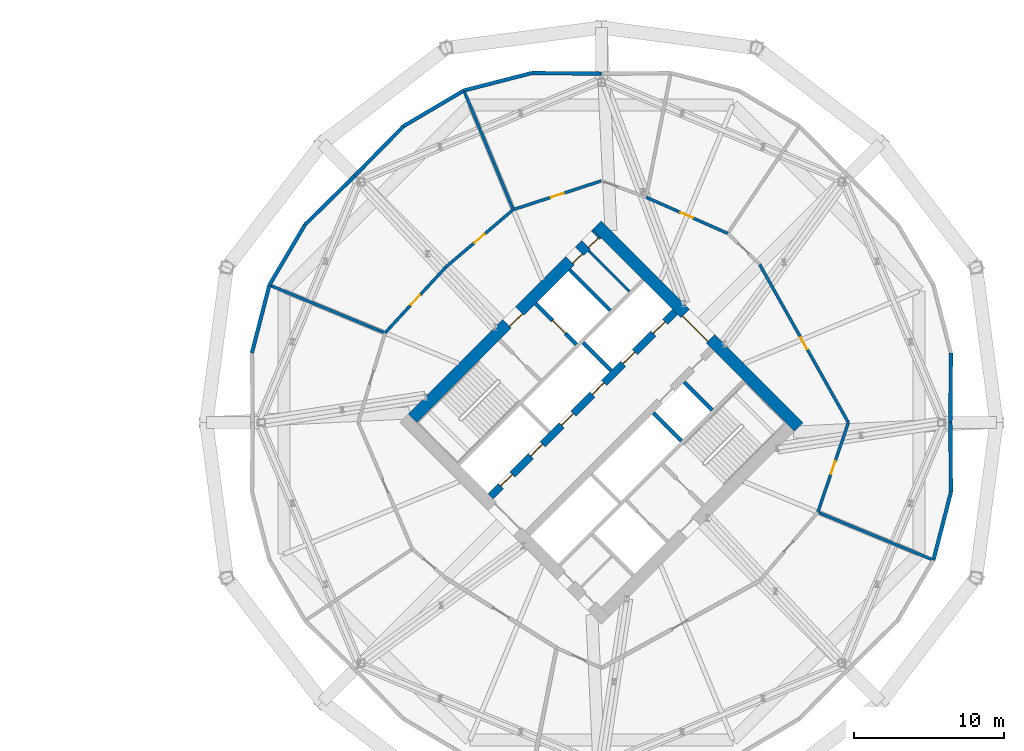
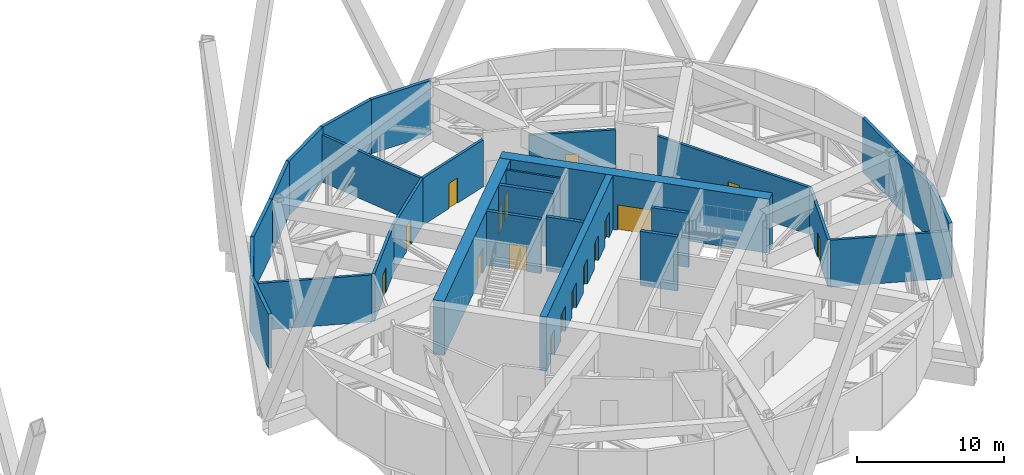
# One storey, part 18 of 21: 28 walls, 17 doors, 17 openings.
"""IFC4 building model written with IfcOpenShell, lengths in metres."""

from ifc_helpers import new_model, si_unit, direction, frame, frame_2d, origin, place, context, subcontext, project, spatial, rectangle, extrude, material, layer, layer_set, type_object, element, fill, save


model = new_model("IFC4")

# Units and contexts
model_context = context("Model", 3, precision=1e-05, world=origin(), true_north=direction((0.0, 1.0)))
body_context = subcontext(model_context, "Body", "Model", "MODEL_VIEW")
ifc_project = project(units=[si_unit("LENGTHUNIT", "METRE"), si_unit("AREAUNIT", "SQUARE_METRE"), si_unit("VOLUMEUNIT", "CUBIC_METRE"), si_unit("PLANEANGLEUNIT", "RADIAN"), si_unit("MASSUNIT", "GRAM", prefix="KILO")], contexts=[model_context])

# Site, building, storey
site_placement = place(None, origin())
site = spatial("IfcSite", under=ifc_project, at=site_placement, CompositionType="ELEMENT")
building_placement = place(site_placement, origin())
building = spatial("IfcBuilding", under=site, at=building_placement, Name="Ogive Gate Towers", CompositionType="ELEMENT")
storey_placement = place(building_placement, frame((0.0, 0.0, 71.39990234375)))
storey = spatial("IfcBuildingStorey", under=building, at=storey_placement, Name="L16", CompositionType="ELEMENT", Elevation=71.39990234375)

# Walls
ifc_material_1 = material(Name="Fire-rated block compartment wall")
ifc_layer_1 = layer(ifc_material_1, 0.199951171875)
ifc_layer_set_1 = layer_set([ifc_layer_1], Name="Compartment wall 200")
wall_type_1 = type_object("IfcWallType", Name="Compartment wall 200", PredefinedType="PARTITIONING", material=ifc_layer_set_1)
wall_1_placement = place(storey_placement, frame((26.8232421875, 22.154541015625, 0.0), z_axis=(0.0, 0.0, 1.0), x_axis=(0.382683368514, -0.923879558959, 0.0)))
element("IfcWall", 1, at=wall_1_placement, inside=storey, type_object=wall_type_1, Name="Partition T2-L16-003", PredefinedType="PARTITIONING", context=body_context, shape_type="SweptSolid", body=[
    extrude(rectangle(XDim=8.518798828125, YDim=0.199951171875, at=frame_2d((4.25927734375, 0.0))), origin(), (0.0, 0.0, 1.0), 3.900146484375),
])
for number, where, z_axis, x_axis, name in (
    (2, (13.845458984375, 9.1767578125, 0.0), (0.0, 0.0, 1.0), (0.923875052212, -0.382694248586, 0.0), "Partition T2-L16-004"),
    (3, (58.154541015625, -9.1767578125, 0.0), (0.0, 0.0, 1.0), (-0.923875052212, 0.382694248586, 0.0), "Partition T2-L16-007"),
):
    element("IfcWall", number, at=place(storey_placement, frame(where, z_axis=z_axis, x_axis=x_axis)), inside=storey, type_object=wall_type_1, Name=name, PredefinedType="PARTITIONING", context=body_context, shape_type="SweptSolid", body=[
        extrude(rectangle(XDim=8.26904296875, YDim=0.199951171875, at=frame_2d((4.134521484375, 0.0))), origin(), (0.0, 0.0, 1.0), 3.900146484375),
    ])

# Wall, opening, door
wall_2_placement = place(storey_placement, frame((44.4267578125, 12.602783203125, 0.0), z_axis=(0.0, 0.0, 1.0), x_axis=(-0.914139178346, 0.405400496563, 0.0)))
wall_2 = element("IfcWall", 4, at=wall_2_placement, inside=storey, type_object=wall_type_1, Name="Partition T2-L16-008", PredefinedType="PARTITIONING", context=body_context, shape_type="SweptSolid", body=[
    extrude(rectangle(XDim=5.9560546875, YDim=0.199951171875, at=frame_2d((2.97802734375, 0.0))), origin(), (0.0, 0.0, 1.0), 3.900146484375),
])
opening_1_placement = place(wall_2_placement, frame((2.550048828125, 0.0, 0.0)))
opening_1 = element("IfcOpeningElement", 5, at=opening_1_placement, cuts=wall_2, Name="Opening T2-L16-D01", PredefinedType="OPENING", context=body_context, shape_type="SweptSolid", body=[
    extrude(rectangle(XDim=0.89990234375, YDim=2.10009765625, at=frame_2d((0.449951171875, 1.050048828125))), frame((0.0, 0.10986328125, 0.0), z_axis=(0.0, -1.0, 0.0), x_axis=(1.0, 0.0, 0.0)), (0.0, 0.0, 1.0), 0.219970703125),
])
ifc_material_2 = material(Name="Steel fire door", Category="steel")
door_type_1 = type_object("IfcDoorType", Name="Fire door 900 FD30S", OperationType="NOTDEFINED", PredefinedType="DOOR", material=ifc_material_2)
door_1_placement = place(opening_1_placement, origin())
door_1 = element("IfcDoor", 6, at=door_1_placement, inside=storey, type_object=door_type_1, Name="Door T2-L16-D01", OperationType="SINGLE_SWING_RIGHT", OverallHeight=2.10009765625, OverallWidth=0.89990234375, PredefinedType="DOOR", context=body_context, shape_type="SweptSolid", body=[
    extrude(rectangle(XDim=0.89990234375, YDim=2.10009765625, at=frame_2d((0.449951171875, 1.050048828125))), frame((0.0, 0.02490234375, 0.0), z_axis=(0.0, -1.0, 0.0), x_axis=(1.0, 0.0, 0.0)), (0.0, 0.0, 1.0), 0.050048828125),
])
fill(opening_1, door_1)

wall_3_placement = place(storey_placement, frame((36.0, 16.110107421875, 0.0), z_axis=(0.0, 0.0, 1.0), x_axis=(-0.950654422304, -0.310251783805, 0.0)))
wall_3 = element("IfcWall", 7, at=wall_3_placement, inside=storey, type_object=wall_type_1, Name="Partition T2-L16-010", PredefinedType="PARTITIONING", context=body_context, shape_type="SweptSolid", body=[
    extrude(rectangle(XDim=6.18359375, YDim=0.199951171875, at=frame_2d((3.091796875, 0.0))), origin(), (0.0, 0.0, 1.0), 3.900146484375),
])
opening_2_placement = place(wall_3_placement, frame((2.64990234375, 0.0, 0.0)))
opening_2 = element("IfcOpeningElement", 8, at=opening_2_placement, cuts=wall_3, Name="Opening T2-L16-D03", PredefinedType="OPENING", context=body_context, shape_type="SweptSolid", body=[
    extrude(rectangle(XDim=0.89990234375, YDim=2.10009765625, at=frame_2d((0.449951171875, 1.050048828125))), frame((0.0, 0.10986328125, 0.0), z_axis=(0.0, -1.0, 0.0), x_axis=(1.0, 0.0, 0.0)), (0.0, 0.0, 1.0), 0.219970703125),
])
door_2_placement = place(opening_2_placement, origin())
door_2 = element("IfcDoor", 9, at=door_2_placement, inside=storey, type_object=door_type_1, Name="Door T2-L16-D03", OperationType="SINGLE_SWING_LEFT", OverallHeight=2.10009765625, OverallWidth=0.89990234375, PredefinedType="DOOR", context=body_context, shape_type="SweptSolid", body=[
    extrude(rectangle(XDim=0.89990234375, YDim=2.10009765625, at=frame_2d((0.449951171875, 1.050048828125))), frame((0.0, 0.02490234375, 0.0), z_axis=(0.0, -1.0, 0.0), x_axis=(1.0, 0.0, 0.0)), (0.0, 0.0, 1.0), 0.050048828125),
])
fill(opening_2, door_2)

wall_4_placement = place(storey_placement, frame((30.12158203125, 14.191650390625, 0.0), z_axis=(0.0, 0.0, 1.0), x_axis=(-0.761033519878, -0.64871255701, 0.0)))
wall_4 = element("IfcWall", 10, at=wall_4_placement, inside=storey, type_object=wall_type_1, Name="Partition T2-L16-011", PredefinedType="PARTITIONING", context=body_context, shape_type="SweptSolid", body=[
    extrude(rectangle(XDim=5.89697265625, YDim=0.199951171875, at=frame_2d((2.948486328125, 0.0))), origin(), (0.0, 0.0, 1.0), 3.900146484375),
])
opening_3_placement = place(wall_4_placement, frame((2.5, 0.0, 0.0)))
opening_3 = element("IfcOpeningElement", 11, at=opening_3_placement, cuts=wall_4, Name="Opening T2-L16-D04", PredefinedType="OPENING", context=body_context, shape_type="SweptSolid", body=[
    extrude(rectangle(XDim=0.89990234375, YDim=2.10009765625, at=frame_2d((0.449951171875, 1.050048828125))), frame((0.0, 0.10986328125, 0.0), z_axis=(0.0, -1.0, 0.0), x_axis=(1.0, 0.0, 0.0)), (0.0, 0.0, 1.0), 0.219970703125),
])
door_3_placement = place(opening_3_placement, origin())
door_3 = element("IfcDoor", 12, at=door_3_placement, inside=storey, type_object=door_type_1, Name="Door T2-L16-D04", OperationType="SINGLE_SWING_RIGHT", OverallHeight=2.10009765625, OverallWidth=0.89990234375, PredefinedType="DOOR", context=body_context, shape_type="SweptSolid", body=[
    extrude(rectangle(XDim=0.89990234375, YDim=2.10009765625, at=frame_2d((0.449951171875, 1.050048828125))), frame((0.0, 0.02490234375, 0.0), z_axis=(0.0, -1.0, 0.0), x_axis=(1.0, 0.0, 0.0)), (0.0, 0.0, 1.0), 0.050048828125),
])
fill(opening_3, door_3)

wall_5_placement = place(storey_placement, frame((25.6337890625, 10.3662109375, 0.0), z_axis=(0.0, 0.0, 1.0), x_axis=(-0.67847512187, -0.734623379021, 0.0)))
wall_5 = element("IfcWall", 13, at=wall_5_placement, inside=storey, type_object=wall_type_1, Name="Partition T2-L16-012", PredefinedType="PARTITIONING", context=body_context, shape_type="SweptSolid", body=[
    extrude(rectangle(XDim=5.978759765625, YDim=0.199951171875, at=frame_2d((2.9892578125, 0.0))), origin(), (0.0, 0.0, 1.0), 3.900146484375),
])
opening_4_placement = place(wall_5_placement, frame((2.550048828125, 0.0, 0.0)))
opening_4 = element("IfcOpeningElement", 14, at=opening_4_placement, cuts=wall_5, Name="Opening T2-L16-D05", PredefinedType="OPENING", context=body_context, shape_type="SweptSolid", body=[
    extrude(rectangle(XDim=0.89990234375, YDim=2.10009765625, at=frame_2d((0.449951171875, 1.050048828125))), frame((0.0, 0.10986328125, 0.0), z_axis=(0.0, -1.0, 0.0), x_axis=(1.0, 0.0, 0.0)), (0.0, 0.0, 1.0), 0.219970703125),
])
door_4_placement = place(opening_4_placement, origin())
door_4 = element("IfcDoor", 15, at=door_4_placement, inside=storey, type_object=door_type_1, Name="Door T2-L16-D05", OperationType="SINGLE_SWING_RIGHT", OverallHeight=2.10009765625, OverallWidth=0.89990234375, PredefinedType="DOOR", context=body_context, shape_type="SweptSolid", body=[
    extrude(rectangle(XDim=0.89990234375, YDim=2.10009765625, at=frame_2d((0.449951171875, 1.050048828125))), frame((0.0, 0.02490234375, 0.0), z_axis=(0.0, -1.0, 0.0), x_axis=(1.0, 0.0, 0.0)), (0.0, 0.0, 1.0), 0.050048828125),
])
fill(opening_4, door_4)

wall_6_placement = place(storey_placement, frame((50.422607421875, -5.97412109375, 0.0), z_axis=(0.0, 0.0, 1.0), x_axis=(0.322776306241, 0.946475280253, 0.0)))
wall_6 = element("IfcWall", 16, at=wall_6_placement, inside=storey, type_object=wall_type_1, Name="Partition T2-L16-020", PredefinedType="PARTITIONING", context=body_context, shape_type="SweptSolid", body=[
    extrude(rectangle(XDim=6.31201171875, YDim=0.199951171875, at=frame_2d((3.156005859375, 0.0))), origin(), (0.0, 0.0, 1.0), 3.900146484375),
])
opening_5_placement = place(wall_6_placement, frame((2.699951171875, 0.0, 0.0)))
opening_5 = element("IfcOpeningElement", 17, at=opening_5_placement, cuts=wall_6, Name="Opening T2-L16-D13", PredefinedType="OPENING", context=body_context, shape_type="SweptSolid", body=[
    extrude(rectangle(XDim=0.89990234375, YDim=2.10009765625, at=frame_2d((0.449951171875, 1.050048828125))), frame((0.0, 0.10986328125, 0.0), z_axis=(0.0, -1.0, 0.0), x_axis=(1.0, 0.0, 0.0)), (0.0, 0.0, 1.0), 0.219970703125),
])
door_5_placement = place(opening_5_placement, origin())
door_5 = element("IfcDoor", 18, at=door_5_placement, inside=storey, type_object=door_type_1, Name="Door T2-L16-D13", OperationType="SINGLE_SWING_LEFT", OverallHeight=2.10009765625, OverallWidth=0.89990234375, PredefinedType="DOOR", context=body_context, shape_type="SweptSolid", body=[
    extrude(rectangle(XDim=0.89990234375, YDim=2.10009765625, at=frame_2d((0.449951171875, 1.050048828125))), frame((0.0, 0.02490234375, 0.0), z_axis=(0.0, -1.0, 0.0), x_axis=(1.0, 0.0, 0.0)), (0.0, 0.0, 1.0), 0.050048828125),
])
fill(opening_5, door_5)

wall_7_placement = place(storey_placement, frame((52.4599609375, 0.0, 0.0), z_axis=(0.0, 0.0, 1.0), x_axis=(-0.489417303942, 0.872049713378, 0.0)))
wall_7 = element("IfcWall", 19, at=wall_7_placement, inside=storey, type_object=wall_type_1, Name="Partition T2-L16-021", PredefinedType="PARTITIONING", context=body_context, shape_type="SweptSolid", body=[
    extrude(rectangle(XDim=12.08984375, YDim=0.199951171875, at=frame_2d((6.044921875, 0.0))), origin(), (0.0, 0.0, 1.0), 3.900146484375),
])
opening_6_placement = place(wall_7_placement, frame((5.60009765625, 0.0, 0.0)))
opening_6 = element("IfcOpeningElement", 20, at=opening_6_placement, cuts=wall_7, Name="Opening T2-L16-D14", PredefinedType="OPENING", context=body_context, shape_type="SweptSolid", body=[
    extrude(rectangle(XDim=0.89990234375, YDim=2.10009765625, at=frame_2d((0.449951171875, 1.050048828125))), frame((0.0, 0.10986328125, 0.0), z_axis=(0.0, -1.0, 0.0), x_axis=(1.0, 0.0, 0.0)), (0.0, 0.0, 1.0), 0.219970703125),
])
door_6_placement = place(opening_6_placement, origin())
door_6 = element("IfcDoor", 21, at=door_6_placement, inside=storey, type_object=door_type_1, Name="Door T2-L16-D14", OperationType="SINGLE_SWING_RIGHT", OverallHeight=2.10009765625, OverallWidth=0.89990234375, PredefinedType="DOOR", context=body_context, shape_type="SweptSolid", body=[
    extrude(rectangle(XDim=0.89990234375, YDim=2.10009765625, at=frame_2d((0.449951171875, 1.050048828125))), frame((0.0, 0.02490234375, 0.0), z_axis=(0.0, -1.0, 0.0), x_axis=(1.0, 0.0, 0.0)), (0.0, 0.0, 1.0), 0.050048828125),
])
fill(opening_6, door_6)

# Wall, openings, doors
ifc_material_3 = material(Name="Concrete C60/75", Category="concrete")
ifc_layer_2 = layer(ifc_material_3, 0.800048828125)
ifc_layer_set_2 = layer_set([ifc_layer_2], Name="Core wall 800 mm")
wall_type_2 = type_object("IfcWallType", Name="Core wall 800 mm", PredefinedType="SHEAR", material=ifc_layer_set_2)
wall_8_placement = place(storey_placement, frame((23.41357421875, 0.28271484375, 0.0), z_axis=(0.0, 0.0, 1.0), x_axis=(0.707106781187, 0.707106781187, 0.0)))
wall_8 = element("IfcWall", 22, at=wall_8_placement, inside=storey, type_object=wall_type_2, Name="T2 L16 Core wall 800 mm", PredefinedType="SHEAR", context=body_context, shape_type="SweptSolid", body=[
    extrude(rectangle(XDim=17.400146484375, YDim=0.800048828125, at=frame_2d((8.7001953125, 0.0))), origin(), (0.0, 0.0, 1.0), 4.5),
])
opening_7_placement = place(wall_8_placement, frame((8.89990234375, 0.0, 0.0)))
opening_7 = element("IfcOpeningElement", 23, at=opening_7_placement, cuts=wall_8, Name="Opening KD-T2-L16-15", PredefinedType="OPENING", context=body_context, shape_type="SweptSolid", body=[
    extrude(rectangle(XDim=1.199951171875, YDim=2.10009765625, at=frame_2d((0.60009765625, 1.050048828125))), frame((0.0, 0.41015625, 0.0), z_axis=(0.0, -1.0, 0.0), x_axis=(1.0, 0.0, 0.0)), (0.0, 0.0, 1.0), 0.820068359375),
])
opening_8_placement = place(wall_8_placement, frame((14.85009765625, 0.0, 0.0)))
opening_8 = element("IfcOpeningElement", 24, at=opening_8_placement, cuts=wall_8, Name="Opening KD-T2-L16-17", PredefinedType="OPENING", context=body_context, shape_type="SweptSolid", body=[
    extrude(rectangle(XDim=0.89990234375, YDim=2.10009765625, at=frame_2d((0.449951171875, 1.050048828125))), frame((0.0, 0.41015625, 0.0), z_axis=(0.0, -1.0, 0.0), x_axis=(1.0, 0.0, 0.0)), (0.0, 0.0, 1.0), 0.820068359375),
])
opening_9_placement = place(wall_8_placement, frame((16.35009765625, 0.0, 0.0)))
opening_9 = element("IfcOpeningElement", 25, at=opening_9_placement, cuts=wall_8, Name="Opening KD-T2-L16-18", PredefinedType="OPENING", context=body_context, shape_type="SweptSolid", body=[
    extrude(rectangle(XDim=0.89990234375, YDim=2.10009765625, at=frame_2d((0.449951171875, 1.050048828125))), frame((0.0, 0.41015625, 0.0), z_axis=(0.0, -1.0, 0.0), x_axis=(1.0, 0.0, 0.0)), (0.0, 0.0, 1.0), 0.820068359375),
])
door_type_2 = type_object("IfcDoorType", Name="Core door FD60S 1200 x 2100", OperationType="NOTDEFINED", PredefinedType="DOOR", material=ifc_material_2)
door_7_placement = place(opening_7_placement, origin())
door_7 = element("IfcDoor", 26, at=door_7_placement, inside=storey, type_object=door_type_2, Name="T2 L16 Fire-fighting lobby door", OperationType="SINGLE_SWING_RIGHT", OverallHeight=2.10009765625, OverallWidth=1.199951171875, PredefinedType="DOOR", context=body_context, shape_type="SweptSolid", body=[
    extrude(rectangle(XDim=1.199951171875, YDim=2.10009765625, at=frame_2d((0.60009765625, 1.050048828125))), frame((0.0, -0.22509765625, 0.0), z_axis=(0.0, -1.0, 0.0), x_axis=(1.0, 0.0, 0.0)), (0.0, 0.0, 1.0), 0.050048828125),
])
fill(opening_7, door_7)
door_type_3 = type_object("IfcDoorType", Name="Core door FD60S 900 x 2100", OperationType="NOTDEFINED", PredefinedType="DOOR", material=ifc_material_2)
door_8_placement = place(opening_8_placement, origin())
door_8 = element("IfcDoor", 27, at=door_8_placement, inside=storey, type_object=door_type_3, Name="T2 L16 Core door", OperationType="SINGLE_SWING_RIGHT", OverallHeight=2.10009765625, OverallWidth=0.89990234375, PredefinedType="DOOR", context=body_context, shape_type="SweptSolid", body=[
    extrude(rectangle(XDim=0.89990234375, YDim=2.10009765625, at=frame_2d((0.449951171875, 1.050048828125))), frame((0.0, -0.22509765625, 0.0), z_axis=(0.0, -1.0, 0.0), x_axis=(1.0, 0.0, 0.0)), (0.0, 0.0, 1.0), 0.050048828125),
])
fill(opening_8, door_8)
door_9_placement = place(opening_9_placement, origin())
door_9 = element("IfcDoor", 28, at=door_9_placement, inside=storey, type_object=door_type_3, Name="T2 L16 Core door", OperationType="SINGLE_SWING_LEFT", OverallHeight=2.10009765625, OverallWidth=0.89990234375, PredefinedType="DOOR", context=body_context, shape_type="SweptSolid", body=[
    extrude(rectangle(XDim=0.89990234375, YDim=2.10009765625, at=frame_2d((0.449951171875, 1.050048828125))), frame((0.0, -0.22509765625, 0.0), z_axis=(0.0, -1.0, 0.0), x_axis=(1.0, 0.0, 0.0)), (0.0, 0.0, 1.0), 0.050048828125),
])
fill(opening_9, door_9)

# Wall, opening, door
wall_9_placement = place(storey_placement, frame((49.152099609375, -0.28271484375, 0.0), z_axis=(0.0, 0.0, 1.0), x_axis=(-0.707106781187, 0.707106781187, 0.0)))
wall_9 = element("IfcWall", 29, at=wall_9_placement, inside=storey, type_object=wall_type_2, Name="T2 L16 Core wall 800 mm", PredefinedType="SHEAR", context=body_context, shape_type="SweptSolid", body=[
    extrude(rectangle(XDim=18.999755859375, YDim=0.800048828125, at=frame_2d((9.5, 0.0))), origin(), (0.0, 0.0, 1.0), 4.5),
])
opening_10_placement = place(wall_9_placement, frame((8.300048828125, 0.0, 0.0)))
opening_10 = element("IfcOpeningElement", 30, at=opening_10_placement, cuts=wall_9, Name="Opening KD-T2-L16-02", PredefinedType="OPENING", context=body_context, shape_type="SweptSolid", body=[
    extrude(rectangle(XDim=2.39990234375, YDim=2.10009765625, at=frame_2d((1.199951171875, 1.050048828125))), frame((0.0, 0.41015625, 0.0), z_axis=(0.0, -1.0, 0.0), x_axis=(1.0, 0.0, 0.0)), (0.0, 0.0, 1.0), 0.820068359375),
])
door_type_4 = type_object("IfcDoorType", Name="Core double door FD60S 2400 x 2100", OperationType="DOUBLE_DOOR_SINGLE_SWING", PredefinedType="DOOR", material=ifc_material_2)
door_10_placement = place(opening_10_placement, origin())
door_10 = element("IfcDoor", 31, at=door_10_placement, inside=storey, type_object=door_type_4, Name="T2 L16 Core door double", OperationType="DOUBLE_DOOR_SINGLE_SWING", OverallHeight=2.10009765625, OverallWidth=2.39990234375, PredefinedType="DOOR", context=body_context, shape_type="SweptSolid", body=[
    extrude(rectangle(XDim=2.39990234375, YDim=2.10009765625, at=frame_2d((1.199951171875, 1.050048828125))), frame((0.0, 0.27490234375, 0.0), z_axis=(0.0, -1.0, 0.0), x_axis=(1.0, 0.0, 0.0)), (0.0, 0.0, 1.0), 0.050048828125),
])
fill(opening_10, door_10)

# Walls
ifc_material_4 = material(Name="Pale metal aluminium louvre", Category="aluminium")
ifc_layer_3 = layer(ifc_material_4, 0.25)
ifc_layer_set_3 = layer_set([ifc_layer_3], Name="Plant louvre wall")
wall_type_3 = type_object("IfcWallType", Name="Plant louvre wall", PredefinedType="SOLIDWALL", material=ifc_layer_set_3)
for number, where, z_axis, x_axis, name in (
    (32, (59.2548828125, 0.0, 0.0), (0.0, 0.0, 1.0), (0.00932029026, 0.999956565151, 0.0), "Plant louvre wall"),
    (33, (36.0, 23.2548828125, 0.0), (0.0, 0.0, 1.0), (-0.999956565151, 0.00932029026, 0.0), "Plant louvre wall"),
):
    element("IfcWall", number, at=place(storey_placement, frame(where, z_axis=z_axis, x_axis=x_axis)), inside=storey, type_object=wall_type_3, Name=name, PredefinedType="SOLIDWALL", context=body_context, shape_type="SweptSolid", body=[
        extrude(rectangle(XDim=4.636474609375, YDim=0.25, at=frame_2d((2.318359375, 0.0))), origin(), (0.0, 0.0, 1.0), 4.5),
    ])
wall_10_placement = place(storey_placement, frame((31.36376953125, 23.298095703125, 0.0), z_axis=(0.0, 0.0, 1.0), x_axis=(-0.968405489026, -0.249380850957, 0.0)))
element("IfcWall", 34, at=wall_10_placement, inside=storey, type_object=wall_type_3, Name="Plant louvre wall", PredefinedType="SOLIDWALL", context=body_context, shape_type="SweptSolid", body=[
    extrude(rectangle(XDim=4.678466796875, YDim=0.25, at=frame_2d((2.33935546875, 0.0))), origin(), (0.0, 0.0, 1.0), 4.5),
])
wall_11_placement = place(storey_placement, frame((26.8330078125, 22.13134765625, 0.0), z_axis=(0.0, 0.0, 1.0), x_axis=(-0.861090617776, -0.508451519792, 0.0)))
element("IfcWall", 35, at=wall_11_placement, inside=storey, type_object=wall_type_3, Name="Plant louvre wall", PredefinedType="SOLIDWALL", context=body_context, shape_type="SweptSolid", body=[
    extrude(rectangle(XDim=4.6787109375, YDim=0.25, at=frame_2d((2.33935546875, 0.0))), origin(), (0.0, 0.0, 1.0), 4.5),
])
for number, where, z_axis, x_axis, name in (
    (36, (22.80419921875, 19.75244140625, 0.0), (0.0, 0.0, 1.0), (-0.700547180345, -0.713606087495, 0.0), "Plant louvre wall"),
    (37, (19.55615234375, 16.44384765625, 0.0), (0.0, 0.0, 1.0), (-0.713606087495, -0.700547180345, 0.0), "Plant louvre wall"),
):
    element("IfcWall", number, at=place(storey_placement, frame(where, z_axis=z_axis, x_axis=x_axis)), inside=storey, type_object=wall_type_3, Name=name, PredefinedType="SOLIDWALL", context=body_context, shape_type="SweptSolid", body=[
        extrude(rectangle(XDim=4.636474609375, YDim=0.25, at=frame_2d((2.318359375, 0.0))), origin(), (0.0, 0.0, 1.0), 4.5),
    ])
wall_12_placement = place(storey_placement, frame((16.24755859375, 13.19580078125, 0.0), z_axis=(0.0, 0.0, 1.0), x_axis=(-0.508451519792, -0.861090617776, 0.0)))
element("IfcWall", 38, at=wall_12_placement, inside=storey, type_object=wall_type_3, Name="Plant louvre wall", PredefinedType="SOLIDWALL", context=body_context, shape_type="SweptSolid", body=[
    extrude(rectangle(XDim=4.6787109375, YDim=0.25, at=frame_2d((2.33935546875, 0.0))), origin(), (0.0, 0.0, 1.0), 4.5),
])
for number, where, z_axis, x_axis, name in (
    (39, (13.86865234375, 9.1669921875, 0.0), (0.0, 0.0, 1.0), (-0.249380850957, -0.968405489026, 0.0), "Plant louvre wall"),
    (40, (58.13134765625, -9.1669921875, 0.0), (0.0, 0.0, 1.0), (0.249380850957, 0.968405489026, 0.0), "Plant louvre wall"),
):
    element("IfcWall", number, at=place(storey_placement, frame(where, z_axis=z_axis, x_axis=x_axis)), inside=storey, type_object=wall_type_3, Name=name, PredefinedType="SOLIDWALL", context=body_context, shape_type="SweptSolid", body=[
        extrude(rectangle(XDim=4.678466796875, YDim=0.25, at=frame_2d((2.33935546875, 0.0))), origin(), (0.0, 0.0, 1.0), 4.5),
    ])
wall_13_placement = place(storey_placement, frame((59.298095703125, -4.63623046875, 0.0), z_axis=(0.0, 0.0, 1.0), x_axis=(-0.00932029026, 0.999956565151, 0.0)))
element("IfcWall", 41, at=wall_13_placement, inside=storey, type_object=wall_type_3, Name="Plant louvre wall", PredefinedType="SOLIDWALL", context=body_context, shape_type="SweptSolid", body=[
    extrude(rectangle(XDim=4.636474609375, YDim=0.25, at=frame_2d((2.318359375, 0.0))), origin(), (0.0, 0.0, 1.0), 4.5),
])
ifc_material_5 = material(Name="Gypsum board partition")
ifc_layer_4 = layer(ifc_material_5, 0.14990234375)
ifc_layer_set_4 = layer_set([ifc_layer_4], Name="Room partition 150 mm")
wall_type_4 = type_object("IfcWallType", Name="Room partition 150 mm", PredefinedType="PARTITIONING", material=ifc_layer_set_4)
wall_14_placement = place(storey_placement, frame((37.856201171875, 8.75048828125, 0.0), z_axis=(0.0, 0.0, 1.0), x_axis=(-0.707106781187, 0.707106781187, 0.0)))
element("IfcWall", 42, at=wall_14_placement, inside=storey, type_object=wall_type_4, Name="T2 L16 Room partition 150 mm", PredefinedType="PARTITIONING", context=body_context, shape_type="SweptSolid", body=[
    extrude(rectangle(XDim=3.824951171875, YDim=0.14990234375, at=frame_2d((1.91259765625, 0.0))), origin(), (0.0, 0.0, 1.0), 4.5),
])

# Wall, opening, door
ifc_layer_5 = layer(ifc_material_3, 0.25)
ifc_layer_set_5 = layer_set([ifc_layer_5], Name="Shaft wall 250 mm")
wall_type_5 = type_object("IfcWallType", Name="Shaft wall 250 mm", PredefinedType="SHEAR", material=ifc_layer_set_5)
wall_15_placement = place(storey_placement, frame((34.320556640625, 5.21484375, 0.0), z_axis=(0.0, 0.0, 1.0), x_axis=(-0.707074866995, 0.707138693938, 0.0)))
wall_15 = element("IfcWall", 43, at=wall_15_placement, inside=storey, type_object=wall_type_5, Name="T2 L16 Shaft wall 250 mm", PredefinedType="SHEAR", context=body_context, shape_type="SweptSolid", body=[
    extrude(rectangle(XDim=3.824951171875, YDim=0.25, at=frame_2d((1.91259765625, 0.0))), origin(), (0.0, 0.0, 1.0), 4.5),
])
opening_11_placement = place(wall_15_placement, frame((1.02490234375, 0.0, 0.0)))
opening_11 = element("IfcOpeningElement", 44, at=opening_11_placement, cuts=wall_15, Name="Opening LD-T2-L16-10", PredefinedType="OPENING", context=body_context, shape_type="SweptSolid", body=[
    extrude(rectangle(XDim=1.199951171875, YDim=2.10009765625, at=frame_2d((0.60009765625, 1.050048828125))), frame((0.0, 0.135009765625, 0.0), z_axis=(0.0, -1.0, 0.0), x_axis=(1.0, 0.0, 0.0)), (0.0, 0.0, 1.0), 0.27001953125),
])
ifc_material_6 = material(Name="Stainless steel landing door", Category="steel")
door_type_5 = type_object("IfcDoorType", Name="Landing door 1200 x 2100", OperationType="SLIDING_TO_LEFT", PredefinedType="DOOR", material=ifc_material_6)
door_11_placement = place(opening_11_placement, origin())
door_11 = element("IfcDoor", 45, at=door_11_placement, inside=storey, type_object=door_type_5, Name="T2 L16 Lift landing door FF1", OperationType="SLIDING_TO_LEFT", OverallHeight=2.10009765625, OverallWidth=1.199951171875, PredefinedType="DOOR", context=body_context, shape_type="SweptSolid", body=[
    extrude(rectangle(XDim=1.199951171875, YDim=2.10009765625, at=frame_2d((0.60009765625, 1.050048828125))), frame((0.0, 0.02490234375, 0.0), z_axis=(0.0, -1.0, 0.0), x_axis=(1.0, 0.0, 0.0)), (0.0, 0.0, 1.0), 0.050048828125),
])
fill(opening_11, door_11)

# Walls
for number, where, z_axis, x_axis, name in (
    (46, (41.321044921875, -1.2197265625, 0.0), (0.0, 0.0, 1.0), (-0.707106781187, 0.707106781187, 0.0), "T2 L16 Shaft wall 250 mm"),
    (47, (36.636474609375, 3.46484375, 0.0), (0.0, 0.0, 1.0), (-0.707106781187, 0.707106781187, 0.0), "T2 L16 Shaft wall 250 mm"),
):
    element("IfcWall", number, at=place(storey_placement, frame(where, z_axis=z_axis, x_axis=x_axis)), inside=storey, type_object=wall_type_5, Name=name, PredefinedType="SHEAR", context=body_context, shape_type="SweptSolid", body=[
        extrude(rectangle(XDim=2.625, YDim=0.25, at=frame_2d((1.3125, 0.0))), origin(), (0.0, 0.0, 1.0), 4.5),
    ])
wall_16_placement = place(storey_placement, frame((36.58349609375, 7.477783203125, 0.0), z_axis=(0.0, 0.0, 1.0), x_axis=(-0.707138693938, 0.707074866995, 0.0)))
element("IfcWall", 48, at=wall_16_placement, inside=storey, type_object=wall_type_5, Name="T2 L16 Shaft wall 250 mm", PredefinedType="SHEAR", context=body_context, shape_type="SweptSolid", body=[
    extrude(rectangle(XDim=3.824951171875, YDim=0.25, at=frame_2d((1.91259765625, 0.0))), origin(), (0.0, 0.0, 1.0), 4.5),
])
wall_17_placement = place(storey_placement, frame((43.37158203125, 0.830810546875, 0.0), z_axis=(0.0, 0.0, 1.0), x_axis=(-0.707106781187, 0.707106781187, 0.0)))
element("IfcWall", 49, at=wall_17_placement, inside=storey, type_object=wall_type_5, Name="T2 L16 Shaft wall 250 mm", PredefinedType="SHEAR", context=body_context, shape_type="SweptSolid", body=[
    extrude(rectangle(XDim=2.625, YDim=0.25, at=frame_2d((1.3125, 0.0))), origin(), (0.0, 0.0, 1.0), 4.5),
])

# Wall, openings, doors
ifc_layer_6 = layer(ifc_material_3, 0.5)
ifc_layer_set_6 = layer_set([ifc_layer_6], Name="Spine wall 500 mm")
wall_type_6 = type_object("IfcWallType", Name="Spine wall 500 mm", PredefinedType="SHEAR", material=ifc_layer_set_6)
wall_18_placement = place(storey_placement, frame((28.610595703125, -4.914306640625, 0.0), z_axis=(0.0, 0.0, 1.0), x_axis=(0.707106781187, 0.707106781187, 0.0)))
wall_18 = element("IfcWall", 50, at=wall_18_placement, inside=storey, type_object=wall_type_6, Name="T2 L16 Spine wall 500 mm", PredefinedType="SHEAR", context=body_context, shape_type="SweptSolid", body=[
    extrude(rectangle(XDim=17.400146484375, YDim=0.5, at=frame_2d((8.7001953125, 0.0))), origin(), (0.0, 0.0, 1.0), 4.5),
])
opening_12_placement = place(wall_18_placement, frame((0.96240234375, 0.0, 0.0)))
opening_12 = element("IfcOpeningElement", 51, at=opening_12_placement, cuts=wall_18, Name="Opening LD-T2-L16-03", PredefinedType="OPENING", context=body_context, shape_type="SweptSolid", body=[
    extrude(rectangle(XDim=1.10009765625, YDim=2.10009765625, at=frame_2d((0.550048828125, 1.050048828125))), frame((0.0, 0.260009765625, 0.0), z_axis=(0.0, -1.0, 0.0), x_axis=(1.0, 0.0, 0.0)), (0.0, 0.0, 1.0), 0.52001953125),
])
opening_13_placement = place(wall_18_placement, frame((3.800048828125, 0.0, 0.0)))
opening_13 = element("IfcOpeningElement", 52, at=opening_13_placement, cuts=wall_18, Name="Opening LD-T2-L16-04", PredefinedType="OPENING", context=body_context, shape_type="SweptSolid", body=[
    extrude(rectangle(XDim=1.10009765625, YDim=2.10009765625, at=frame_2d((0.550048828125, 1.050048828125))), frame((0.0, 0.260009765625, 0.0), z_axis=(0.0, -1.0, 0.0), x_axis=(1.0, 0.0, 0.0)), (0.0, 0.0, 1.0), 0.52001953125),
])
opening_14_placement = place(wall_18_placement, frame((6.699951171875, 0.0, 0.0)))
opening_14 = element("IfcOpeningElement", 53, at=opening_14_placement, cuts=wall_18, Name="Opening LD-T2-L16-05", PredefinedType="OPENING", context=body_context, shape_type="SweptSolid", body=[
    extrude(rectangle(XDim=1.10009765625, YDim=2.10009765625, at=frame_2d((0.550048828125, 1.050048828125))), frame((0.0, 0.260009765625, 0.0), z_axis=(0.0, -1.0, 0.0), x_axis=(1.0, 0.0, 0.0)), (0.0, 0.0, 1.0), 0.52001953125),
])
opening_15_placement = place(wall_18_placement, frame((9.60009765625, 0.0, 0.0)))
opening_15 = element("IfcOpeningElement", 54, at=opening_15_placement, cuts=wall_18, Name="Opening LD-T2-L16-06", PredefinedType="OPENING", context=body_context, shape_type="SweptSolid", body=[
    extrude(rectangle(XDim=1.10009765625, YDim=2.10009765625, at=frame_2d((0.550048828125, 1.050048828125))), frame((0.0, 0.260009765625, 0.0), z_axis=(0.0, -1.0, 0.0), x_axis=(1.0, 0.0, 0.0)), (0.0, 0.0, 1.0), 0.52001953125),
])
opening_16_placement = place(wall_18_placement, frame((12.5, 0.0, 0.0)))
opening_16 = element("IfcOpeningElement", 55, at=opening_16_placement, cuts=wall_18, Name="Opening LD-T2-L16-07", PredefinedType="OPENING", context=body_context, shape_type="SweptSolid", body=[
    extrude(rectangle(XDim=1.10009765625, YDim=2.10009765625, at=frame_2d((0.550048828125, 1.050048828125))), frame((0.0, 0.260009765625, 0.0), z_axis=(0.0, -1.0, 0.0), x_axis=(1.0, 0.0, 0.0)), (0.0, 0.0, 1.0), 0.52001953125),
])
opening_17_placement = place(wall_18_placement, frame((15.33740234375, 0.0, 0.0)))
opening_17 = element("IfcOpeningElement", 56, at=opening_17_placement, cuts=wall_18, Name="Opening LD-T2-L16-08", PredefinedType="OPENING", context=body_context, shape_type="SweptSolid", body=[
    extrude(rectangle(XDim=1.10009765625, YDim=2.10009765625, at=frame_2d((0.550048828125, 1.050048828125))), frame((0.0, 0.260009765625, 0.0), z_axis=(0.0, -1.0, 0.0), x_axis=(1.0, 0.0, 0.0)), (0.0, 0.0, 1.0), 0.52001953125),
])
door_type_6 = type_object("IfcDoorType", Name="Landing door 1100 x 2100", OperationType="SLIDING_TO_LEFT", PredefinedType="DOOR", material=ifc_material_6)
door_12_placement = place(opening_12_placement, origin())
door_12 = element("IfcDoor", 57, at=door_12_placement, inside=storey, type_object=door_type_6, Name="T2 L16 Lift landing door A1", OperationType="SLIDING_TO_LEFT", OverallHeight=2.10009765625, OverallWidth=1.10009765625, PredefinedType="DOOR", context=body_context, shape_type="SweptSolid", body=[
    extrude(rectangle(XDim=1.10009765625, YDim=2.10009765625, at=frame_2d((0.550048828125, 1.050048828125))), frame((0.0, 0.02490234375, 0.0), z_axis=(0.0, -1.0, 0.0), x_axis=(1.0, 0.0, 0.0)), (0.0, 0.0, 1.0), 0.050048828125),
])
fill(opening_12, door_12)
door_13_placement = place(opening_13_placement, origin())
door_13 = element("IfcDoor", 58, at=door_13_placement, inside=storey, type_object=door_type_6, Name="T2 L16 Lift landing door A2", OperationType="SLIDING_TO_LEFT", OverallHeight=2.10009765625, OverallWidth=1.10009765625, PredefinedType="DOOR", context=body_context, shape_type="SweptSolid", body=[
    extrude(rectangle(XDim=1.10009765625, YDim=2.10009765625, at=frame_2d((0.550048828125, 1.050048828125))), frame((0.0, 0.02490234375, 0.0), z_axis=(0.0, -1.0, 0.0), x_axis=(1.0, 0.0, 0.0)), (0.0, 0.0, 1.0), 0.050048828125),
])
fill(opening_13, door_13)
door_14_placement = place(opening_14_placement, origin())
door_14 = element("IfcDoor", 59, at=door_14_placement, inside=storey, type_object=door_type_6, Name="T2 L16 Lift landing door A3", OperationType="SLIDING_TO_LEFT", OverallHeight=2.10009765625, OverallWidth=1.10009765625, PredefinedType="DOOR", context=body_context, shape_type="SweptSolid", body=[
    extrude(rectangle(XDim=1.10009765625, YDim=2.10009765625, at=frame_2d((0.550048828125, 1.050048828125))), frame((0.0, 0.02490234375, 0.0), z_axis=(0.0, -1.0, 0.0), x_axis=(1.0, 0.0, 0.0)), (0.0, 0.0, 1.0), 0.050048828125),
])
fill(opening_14, door_14)
door_15_placement = place(opening_15_placement, origin())
door_15 = element("IfcDoor", 60, at=door_15_placement, inside=storey, type_object=door_type_6, Name="T2 L16 Lift landing door A4", OperationType="SLIDING_TO_LEFT", OverallHeight=2.10009765625, OverallWidth=1.10009765625, PredefinedType="DOOR", context=body_context, shape_type="SweptSolid", body=[
    extrude(rectangle(XDim=1.10009765625, YDim=2.10009765625, at=frame_2d((0.550048828125, 1.050048828125))), frame((0.0, 0.02490234375, 0.0), z_axis=(0.0, -1.0, 0.0), x_axis=(1.0, 0.0, 0.0)), (0.0, 0.0, 1.0), 0.050048828125),
])
fill(opening_15, door_15)
door_16_placement = place(opening_16_placement, origin())
door_16 = element("IfcDoor", 61, at=door_16_placement, inside=storey, type_object=door_type_6, Name="T2 L16 Lift landing door A5", OperationType="SLIDING_TO_LEFT", OverallHeight=2.10009765625, OverallWidth=1.10009765625, PredefinedType="DOOR", context=body_context, shape_type="SweptSolid", body=[
    extrude(rectangle(XDim=1.10009765625, YDim=2.10009765625, at=frame_2d((0.550048828125, 1.050048828125))), frame((0.0, 0.02490234375, 0.0), z_axis=(0.0, -1.0, 0.0), x_axis=(1.0, 0.0, 0.0)), (0.0, 0.0, 1.0), 0.050048828125),
])
fill(opening_16, door_16)
door_17_placement = place(opening_17_placement, origin())
door_17 = element("IfcDoor", 62, at=door_17_placement, inside=storey, type_object=door_type_6, Name="T2 L16 Lift landing door A6", OperationType="SLIDING_TO_LEFT", OverallHeight=2.10009765625, OverallWidth=1.10009765625, PredefinedType="DOOR", context=body_context, shape_type="SweptSolid", body=[
    extrude(rectangle(XDim=1.10009765625, YDim=2.10009765625, at=frame_2d((0.550048828125, 1.050048828125))), frame((0.0, 0.02490234375, 0.0), z_axis=(0.0, -1.0, 0.0), x_axis=(1.0, 0.0, 0.0)), (0.0, 0.0, 1.0), 0.050048828125),
])
fill(opening_17, door_17)

save(model, "model.ifc")
